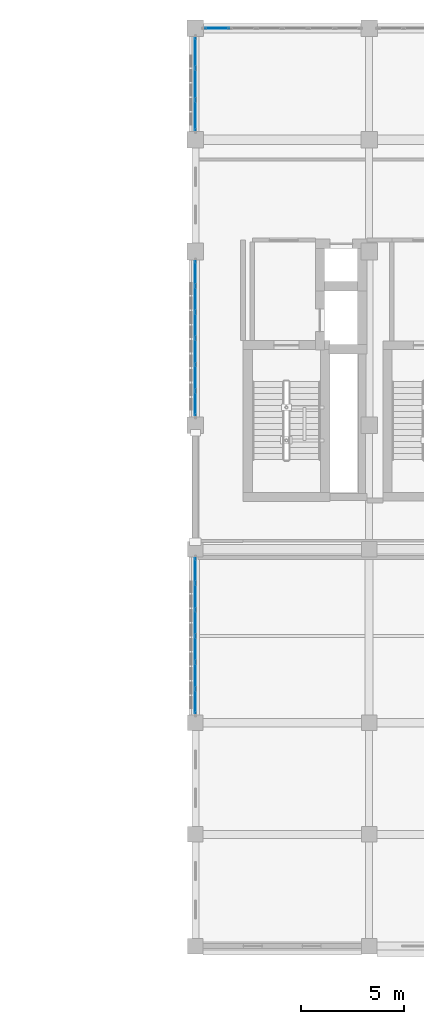
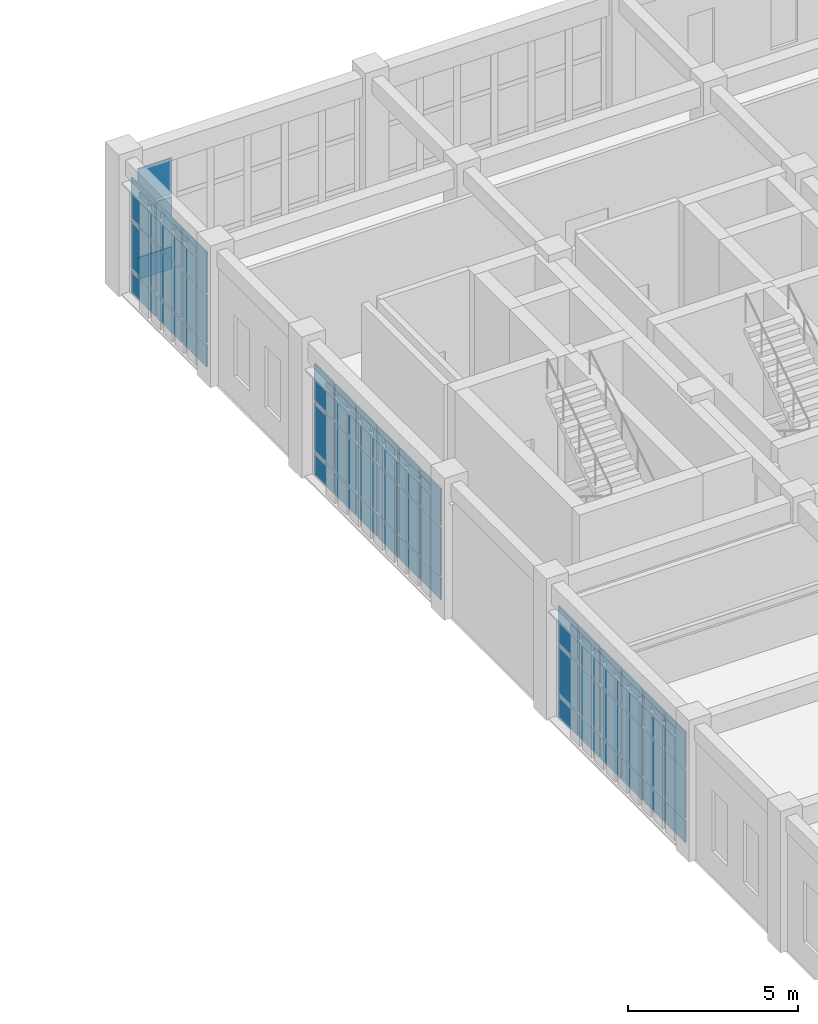
# One storey, part 50 of 77: 48 plates, 4 elements without a shape of their own.
"""IFC4 building model written with IfcOpenShell, lengths in metres."""

from ifc_helpers import new_model, si_unit, direction, frame, origin, origin_2d, place, context, subcontext, project, spatial, rectangle, extrude, material, layer, layer_set, type_object, element, aggregate, save


model = new_model("IFC4")

# Units and contexts
model_context = context("Model", 3, precision=1e-05, world=origin(), true_north=direction((0.0, 1.0)))
body_context = subcontext(model_context, "Body", "Model", "MODEL_VIEW")
ifc_project = project(units=[si_unit("LENGTHUNIT", "METRE"), si_unit("AREAUNIT", "SQUARE_METRE"), si_unit("VOLUMEUNIT", "CUBIC_METRE"), si_unit("PLANEANGLEUNIT", "RADIAN"), si_unit("MASSUNIT", "GRAM", prefix="KILO")], contexts=[model_context])

# Site, building, storey
site_placement = place(None, origin())
site = spatial("IfcSite", under=ifc_project, at=site_placement, CompositionType="ELEMENT")
building_placement = place(site_placement, origin())
building = spatial("IfcBuilding", under=site, at=building_placement, Name="Krzemoval Escarpment Law Courts", CompositionType="ELEMENT")
storey_placement = place(building_placement, frame((0.0, 0.0, 15.300048828125)))
storey = spatial("IfcBuildingStorey", under=building, at=storey_placement, Name="L03", CompositionType="ELEMENT", Elevation=15.300048828125)

# Curtain wall, plates
ifc_material_1 = material(Name="Aluminium 6063-T6", Category="aluminium")
ifc_layer_1 = layer(ifc_material_1, 0.239990234375)
ifc_layer_set_1 = layer_set([ifc_layer_1], Name="Aluminium 6063-T6")
curtain_wall_type = type_object("IfcCurtainWallType", Name="CW-CHMB-4800", PredefinedType="USERDEFINED", material=ifc_layer_set_1)
curtain_wall_1_placement = place(storey_placement, origin())
curtain_wall_1 = element("IfcCurtainWall", 1, at=curtain_wall_1_placement, inside=storey, type_object=curtain_wall_type, Name="Unitised Curtain Wall FCW-L03-112", ObjectType="UNITISED_CURTAIN_WALL", PredefinedType="USERDEFINED")
ifc_material_2 = material(Name="Triple Glazing IGU", Category="glass")
ifc_layer_2 = layer(ifc_material_2, 0.048095703125)
ifc_layer_set_2 = layer_set([ifc_layer_2], Name="Triple Glazing IGU")
plate_type = type_object("IfcPlateType", Name="CWP-GLZ-48", PredefinedType="CURTAIN_PANEL", material=ifc_layer_set_2)
plate_1_placement = place(storey_placement, frame((126.0, 100.652099609375, 0.074951171875), z_axis=(0.0, 0.0, 1.0), x_axis=(0.0, 1.0, 0.0)))
plate_1 = element("IfcPlate", 2, at=plate_1_placement, type_object=plate_type, Name="FCW-L03-112 panel 1.1", PredefinedType="CURTAIN_PANEL", context=body_context, shape_type="SweptSolid", body=[
    extrude(rectangle(XDim=1.154052734375, YDim=0.048095703125, at=origin_2d()), origin(), (0.0, 0.0, 1.0), 0.78759765625),
])
plate_2_placement = place(storey_placement, frame((126.0, 100.652099609375, 0.9375), z_axis=(0.0, 0.0, 1.0), x_axis=(0.0, 1.0, 0.0)))
plate_2 = element("IfcPlate", 3, at=plate_2_placement, type_object=plate_type, Name="FCW-L03-112 panel 1.2", PredefinedType="CURTAIN_PANEL", context=body_context, shape_type="SweptSolid", body=[
    extrude(rectangle(XDim=1.154052734375, YDim=0.048095703125, at=origin_2d()), origin(), (0.0, 0.0, 1.0), 1.72509765625),
])
plate_3_placement = place(storey_placement, frame((126.0, 100.652099609375, 2.7373046875), z_axis=(0.0, 0.0, 1.0), x_axis=(0.0, 1.0, 0.0)))
plate_3 = element("IfcPlate", 4, at=plate_3_placement, type_object=plate_type, Name="FCW-L03-112 panel 1.3", PredefinedType="CURTAIN_PANEL", context=body_context, shape_type="SweptSolid", body=[
    extrude(rectangle(XDim=1.154052734375, YDim=0.048095703125, at=origin_2d()), origin(), (0.0, 0.0, 1.0), 1.327392578125),
])
plate_4_placement = place(storey_placement, frame((126.0, 101.89990234375, 0.074951171875), z_axis=(0.0, 0.0, 1.0), x_axis=(0.0, 1.0, 0.0)))
plate_4 = element("IfcPlate", 5, at=plate_4_placement, type_object=plate_type, Name="FCW-L03-112 panel 2.1", PredefinedType="CURTAIN_PANEL", context=body_context, shape_type="SweptSolid", body=[
    extrude(rectangle(XDim=1.191650390625, YDim=0.048095703125, at=origin_2d()), origin(), (0.0, 0.0, 1.0), 0.78759765625),
])
plate_5_placement = place(storey_placement, frame((126.0, 101.89990234375, 0.9375), z_axis=(0.0, 0.0, 1.0), x_axis=(0.0, 1.0, 0.0)))
plate_5 = element("IfcPlate", 6, at=plate_5_placement, type_object=plate_type, Name="FCW-L03-112 panel 2.2", PredefinedType="CURTAIN_PANEL", context=body_context, shape_type="SweptSolid", body=[
    extrude(rectangle(XDim=1.191650390625, YDim=0.048095703125, at=origin_2d()), origin(), (0.0, 0.0, 1.0), 1.72509765625),
])
plate_6_placement = place(storey_placement, frame((126.0, 101.89990234375, 2.7373046875), z_axis=(0.0, 0.0, 1.0), x_axis=(0.0, 1.0, 0.0)))
plate_6 = element("IfcPlate", 7, at=plate_6_placement, type_object=plate_type, Name="FCW-L03-112 panel 2.3", PredefinedType="CURTAIN_PANEL", context=body_context, shape_type="SweptSolid", body=[
    extrude(rectangle(XDim=1.191650390625, YDim=0.048095703125, at=origin_2d()), origin(), (0.0, 0.0, 1.0), 1.327392578125),
])
plate_7_placement = place(storey_placement, frame((126.0, 103.166748046875, 0.074951171875), z_axis=(0.0, 0.0, 1.0), x_axis=(0.0, 1.0, 0.0)))
plate_7 = element("IfcPlate", 8, at=plate_7_placement, type_object=plate_type, Name="FCW-L03-112 panel 3.1", PredefinedType="CURTAIN_PANEL", context=body_context, shape_type="SweptSolid", body=[
    extrude(rectangle(XDim=1.191650390625, YDim=0.048095703125, at=origin_2d()), origin(), (0.0, 0.0, 1.0), 0.78759765625),
])
plate_8_placement = place(storey_placement, frame((126.0, 103.166748046875, 0.9375), z_axis=(0.0, 0.0, 1.0), x_axis=(0.0, 1.0, 0.0)))
plate_8 = element("IfcPlate", 9, at=plate_8_placement, type_object=plate_type, Name="FCW-L03-112 panel 3.2", PredefinedType="CURTAIN_PANEL", context=body_context, shape_type="SweptSolid", body=[
    extrude(rectangle(XDim=1.191650390625, YDim=0.048095703125, at=origin_2d()), origin(), (0.0, 0.0, 1.0), 1.72509765625),
])
plate_9_placement = place(storey_placement, frame((126.0, 103.166748046875, 2.7373046875), z_axis=(0.0, 0.0, 1.0), x_axis=(0.0, 1.0, 0.0)))
plate_9 = element("IfcPlate", 10, at=plate_9_placement, type_object=plate_type, Name="FCW-L03-112 panel 3.3", PredefinedType="CURTAIN_PANEL", context=body_context, shape_type="SweptSolid", body=[
    extrude(rectangle(XDim=1.191650390625, YDim=0.048095703125, at=origin_2d()), origin(), (0.0, 0.0, 1.0), 1.327392578125),
])
plate_10_placement = place(storey_placement, frame((126.0, 104.433349609375, 0.074951171875), z_axis=(0.0, 0.0, 1.0), x_axis=(0.0, 1.0, 0.0)))
plate_10 = element("IfcPlate", 11, at=plate_10_placement, type_object=plate_type, Name="FCW-L03-112 panel 4.1", PredefinedType="CURTAIN_PANEL", context=body_context, shape_type="SweptSolid", body=[
    extrude(rectangle(XDim=1.191650390625, YDim=0.048095703125, at=origin_2d()), origin(), (0.0, 0.0, 1.0), 0.78759765625),
])
plate_11_placement = place(storey_placement, frame((126.0, 104.433349609375, 0.9375), z_axis=(0.0, 0.0, 1.0), x_axis=(0.0, 1.0, 0.0)))
plate_11 = element("IfcPlate", 12, at=plate_11_placement, type_object=plate_type, Name="FCW-L03-112 panel 4.2", PredefinedType="CURTAIN_PANEL", context=body_context, shape_type="SweptSolid", body=[
    extrude(rectangle(XDim=1.191650390625, YDim=0.048095703125, at=origin_2d()), origin(), (0.0, 0.0, 1.0), 1.72509765625),
])
plate_12_placement = place(storey_placement, frame((126.0, 104.433349609375, 2.7373046875), z_axis=(0.0, 0.0, 1.0), x_axis=(0.0, 1.0, 0.0)))
plate_12 = element("IfcPlate", 13, at=plate_12_placement, type_object=plate_type, Name="FCW-L03-112 panel 4.3", PredefinedType="CURTAIN_PANEL", context=body_context, shape_type="SweptSolid", body=[
    extrude(rectangle(XDim=1.191650390625, YDim=0.048095703125, at=origin_2d()), origin(), (0.0, 0.0, 1.0), 1.327392578125),
])
plate_13_placement = place(storey_placement, frame((126.0, 105.699951171875, 0.074951171875), z_axis=(0.0, 0.0, 1.0), x_axis=(0.0, 1.0, 0.0)))
plate_13 = element("IfcPlate", 14, at=plate_13_placement, type_object=plate_type, Name="FCW-L03-112 panel 5.1", PredefinedType="CURTAIN_PANEL", context=body_context, shape_type="SweptSolid", body=[
    extrude(rectangle(XDim=1.191650390625, YDim=0.048095703125, at=origin_2d()), origin(), (0.0, 0.0, 1.0), 0.78759765625),
])
plate_14_placement = place(storey_placement, frame((126.0, 105.699951171875, 0.9375), z_axis=(0.0, 0.0, 1.0), x_axis=(0.0, 1.0, 0.0)))
plate_14 = element("IfcPlate", 15, at=plate_14_placement, type_object=plate_type, Name="FCW-L03-112 panel 5.2", PredefinedType="CURTAIN_PANEL", context=body_context, shape_type="SweptSolid", body=[
    extrude(rectangle(XDim=1.191650390625, YDim=0.048095703125, at=origin_2d()), origin(), (0.0, 0.0, 1.0), 1.72509765625),
])
plate_15_placement = place(storey_placement, frame((126.0, 105.699951171875, 2.7373046875), z_axis=(0.0, 0.0, 1.0), x_axis=(0.0, 1.0, 0.0)))
plate_15 = element("IfcPlate", 16, at=plate_15_placement, type_object=plate_type, Name="FCW-L03-112 panel 5.3", PredefinedType="CURTAIN_PANEL", context=body_context, shape_type="SweptSolid", body=[
    extrude(rectangle(XDim=1.191650390625, YDim=0.048095703125, at=origin_2d()), origin(), (0.0, 0.0, 1.0), 1.327392578125),
])
plate_16_placement = place(storey_placement, frame((126.0, 106.947998046875, 0.074951171875), z_axis=(0.0, 0.0, 1.0), x_axis=(0.0, 1.0, 0.0)))
plate_16 = element("IfcPlate", 17, at=plate_16_placement, type_object=plate_type, Name="FCW-L03-112 panel 6.1", PredefinedType="CURTAIN_PANEL", context=body_context, shape_type="SweptSolid", body=[
    extrude(rectangle(XDim=1.154052734375, YDim=0.048095703125, at=origin_2d()), origin(), (0.0, 0.0, 1.0), 0.78759765625),
])
plate_17_placement = place(storey_placement, frame((126.0, 106.947998046875, 0.9375), z_axis=(0.0, 0.0, 1.0), x_axis=(0.0, 1.0, 0.0)))
plate_17 = element("IfcPlate", 18, at=plate_17_placement, type_object=plate_type, Name="FCW-L03-112 panel 6.2", PredefinedType="CURTAIN_PANEL", context=body_context, shape_type="SweptSolid", body=[
    extrude(rectangle(XDim=1.154052734375, YDim=0.048095703125, at=origin_2d()), origin(), (0.0, 0.0, 1.0), 1.72509765625),
])
plate_18_placement = place(storey_placement, frame((126.0, 106.947998046875, 2.7373046875), z_axis=(0.0, 0.0, 1.0), x_axis=(0.0, 1.0, 0.0)))
plate_18 = element("IfcPlate", 19, at=plate_18_placement, type_object=plate_type, Name="FCW-L03-112 panel 6.3", PredefinedType="CURTAIN_PANEL", context=body_context, shape_type="SweptSolid", body=[
    extrude(rectangle(XDim=1.154052734375, YDim=0.048095703125, at=origin_2d()), origin(), (0.0, 0.0, 1.0), 1.327392578125),
])
aggregate(curtain_wall_1, [plate_1, plate_2, plate_3, plate_4, plate_5, plate_6, plate_7, plate_8, plate_9, plate_10, plate_11, plate_12, plate_13, plate_14, plate_15, plate_16, plate_17, plate_18])

curtain_wall_2_placement = place(storey_placement, origin())
curtain_wall_2 = element("IfcCurtainWall", 20, at=curtain_wall_2_placement, inside=storey, type_object=curtain_wall_type, Name="Unitised Curtain Wall FCW-L03-113", ObjectType="UNITISED_CURTAIN_WALL", PredefinedType="USERDEFINED")
plate_19_placement = place(storey_placement, frame((126.0, 114.58544921875, 0.074951171875), z_axis=(0.0, 0.0, 1.0), x_axis=(0.0, 1.0, 0.0)))
plate_19 = element("IfcPlate", 21, at=plate_19_placement, type_object=plate_type, Name="FCW-L03-113 panel 1.1", PredefinedType="CURTAIN_PANEL", context=body_context, shape_type="SweptSolid", body=[
    extrude(rectangle(XDim=1.4208984375, YDim=0.048095703125, at=origin_2d()), origin(), (0.0, 0.0, 1.0), 0.78759765625),
])
plate_20_placement = place(storey_placement, frame((126.0, 114.58544921875, 0.9375), z_axis=(0.0, 0.0, 1.0), x_axis=(0.0, 1.0, 0.0)))
plate_20 = element("IfcPlate", 22, at=plate_20_placement, type_object=plate_type, Name="FCW-L03-113 panel 1.2", PredefinedType="CURTAIN_PANEL", context=body_context, shape_type="SweptSolid", body=[
    extrude(rectangle(XDim=1.4208984375, YDim=0.048095703125, at=origin_2d()), origin(), (0.0, 0.0, 1.0), 1.72509765625),
])
plate_21_placement = place(storey_placement, frame((126.0, 114.58544921875, 2.737548828125), z_axis=(0.0, 0.0, 1.0), x_axis=(0.0, 1.0, 0.0)))
plate_21 = element("IfcPlate", 23, at=plate_21_placement, type_object=plate_type, Name="FCW-L03-113 panel 1.3", PredefinedType="CURTAIN_PANEL", context=body_context, shape_type="SweptSolid", body=[
    extrude(rectangle(XDim=1.4208984375, YDim=0.048095703125, at=origin_2d()), origin(), (0.0, 0.0, 1.0), 1.4775390625),
])
plate_22_placement = place(storey_placement, frame((126.0, 116.10009765625, 0.074951171875), z_axis=(0.0, 0.0, 1.0), x_axis=(0.0, 1.0, 0.0)))
plate_22 = element("IfcPlate", 24, at=plate_22_placement, type_object=plate_type, Name="FCW-L03-113 panel 2.1", PredefinedType="CURTAIN_PANEL", context=body_context, shape_type="SweptSolid", body=[
    extrude(rectangle(XDim=1.458251953125, YDim=0.048095703125, at=origin_2d()), origin(), (0.0, 0.0, 1.0), 0.78759765625),
])
plate_23_placement = place(storey_placement, frame((126.0, 116.10009765625, 0.9375), z_axis=(0.0, 0.0, 1.0), x_axis=(0.0, 1.0, 0.0)))
plate_23 = element("IfcPlate", 25, at=plate_23_placement, type_object=plate_type, Name="FCW-L03-113 panel 2.2", PredefinedType="CURTAIN_PANEL", context=body_context, shape_type="SweptSolid", body=[
    extrude(rectangle(XDim=1.458251953125, YDim=0.048095703125, at=origin_2d()), origin(), (0.0, 0.0, 1.0), 1.72509765625),
])
plate_24_placement = place(storey_placement, frame((126.0, 116.10009765625, 2.737548828125), z_axis=(0.0, 0.0, 1.0), x_axis=(0.0, 1.0, 0.0)))
plate_24 = element("IfcPlate", 26, at=plate_24_placement, type_object=plate_type, Name="FCW-L03-113 panel 2.3", PredefinedType="CURTAIN_PANEL", context=body_context, shape_type="SweptSolid", body=[
    extrude(rectangle(XDim=1.458251953125, YDim=0.048095703125, at=origin_2d()), origin(), (0.0, 0.0, 1.0), 1.4775390625),
])
plate_25_placement = place(storey_placement, frame((126.0, 117.614501953125, 0.074951171875), z_axis=(0.0, 0.0, 1.0), x_axis=(0.0, 1.0, 0.0)))
plate_25 = element("IfcPlate", 27, at=plate_25_placement, type_object=plate_type, Name="FCW-L03-113 panel 3.1", PredefinedType="CURTAIN_PANEL", context=body_context, shape_type="SweptSolid", body=[
    extrude(rectangle(XDim=1.4208984375, YDim=0.048095703125, at=origin_2d()), origin(), (0.0, 0.0, 1.0), 0.78759765625),
])
plate_26_placement = place(storey_placement, frame((126.0, 117.614501953125, 0.9375), z_axis=(0.0, 0.0, 1.0), x_axis=(0.0, 1.0, 0.0)))
plate_26 = element("IfcPlate", 28, at=plate_26_placement, type_object=plate_type, Name="FCW-L03-113 panel 3.2", PredefinedType="CURTAIN_PANEL", context=body_context, shape_type="SweptSolid", body=[
    extrude(rectangle(XDim=1.4208984375, YDim=0.048095703125, at=origin_2d()), origin(), (0.0, 0.0, 1.0), 1.72509765625),
])
plate_27_placement = place(storey_placement, frame((126.0, 117.614501953125, 2.737548828125), z_axis=(0.0, 0.0, 1.0), x_axis=(0.0, 1.0, 0.0)))
plate_27 = element("IfcPlate", 29, at=plate_27_placement, type_object=plate_type, Name="FCW-L03-113 panel 3.3", PredefinedType="CURTAIN_PANEL", context=body_context, shape_type="SweptSolid", body=[
    extrude(rectangle(XDim=1.4208984375, YDim=0.048095703125, at=origin_2d()), origin(), (0.0, 0.0, 1.0), 1.4775390625),
])
aggregate(curtain_wall_2, [plate_19, plate_20, plate_21, plate_22, plate_23, plate_24, plate_25, plate_26, plate_27])

curtain_wall_3_placement = place(storey_placement, origin())
curtain_wall_3 = element("IfcCurtainWall", 30, at=curtain_wall_3_placement, inside=storey, type_object=curtain_wall_type, Name="Unitised Curtain Wall FCW-L03-114", ObjectType="UNITISED_CURTAIN_WALL", PredefinedType="USERDEFINED")
plate_28_placement = place(storey_placement, frame((127.052001953125, 118.800048828125, 0.074951171875), z_axis=(0.0, 0.0, 1.0), x_axis=(1.0, 0.0, 0.0)))
plate_28 = element("IfcPlate", 31, at=plate_28_placement, type_object=plate_type, Name="FCW-L03-114 panel 1.1", PredefinedType="CURTAIN_PANEL", context=body_context, shape_type="SweptSolid", body=[
    extrude(rectangle(XDim=1.154052734375, YDim=0.048095703125, at=origin_2d()), origin(), (0.0, 0.0, 1.0), 0.78759765625),
])
plate_29_placement = place(storey_placement, frame((127.052001953125, 118.800048828125, 0.9375), z_axis=(0.0, 0.0, 1.0), x_axis=(1.0, 0.0, 0.0)))
plate_29 = element("IfcPlate", 32, at=plate_29_placement, type_object=plate_type, Name="FCW-L03-114 panel 1.2", PredefinedType="CURTAIN_PANEL", context=body_context, shape_type="SweptSolid", body=[
    extrude(rectangle(XDim=1.154052734375, YDim=0.048095703125, at=origin_2d()), origin(), (0.0, 0.0, 1.0), 1.72509765625),
])
plate_30_placement = place(storey_placement, frame((127.052001953125, 118.800048828125, 2.7373046875), z_axis=(0.0, 0.0, 1.0), x_axis=(1.0, 0.0, 0.0)))
plate_30 = element("IfcPlate", 33, at=plate_30_placement, type_object=plate_type, Name="FCW-L03-114 panel 1.3", PredefinedType="CURTAIN_PANEL", context=body_context, shape_type="SweptSolid", body=[
    extrude(rectangle(XDim=1.154052734375, YDim=0.048095703125, at=origin_2d()), origin(), (0.0, 0.0, 1.0), 1.327392578125),
])
aggregate(curtain_wall_3, [plate_28, plate_29, plate_30])

curtain_wall_4_placement = place(storey_placement, origin())
curtain_wall_4 = element("IfcCurtainWall", 34, at=curtain_wall_4_placement, inside=storey, type_object=curtain_wall_type, Name="Unitised Curtain Wall FCW-L03-122", ObjectType="UNITISED_CURTAIN_WALL", PredefinedType="USERDEFINED")
plate_31_placement = place(storey_placement, frame((126.0, 86.231201171875, 0.074951171875), z_axis=(0.0, 0.0, 1.0), x_axis=(0.0, 1.0, 0.0)))
plate_31 = element("IfcPlate", 35, at=plate_31_placement, type_object=plate_type, Name="FCW-L03-122 panel 1.1", PredefinedType="CURTAIN_PANEL", context=body_context, shape_type="SweptSolid", body=[
    extrude(rectangle(XDim=1.16259765625, YDim=0.048095703125, at=origin_2d()), origin(), (0.0, 0.0, 1.0), 0.78759765625),
])
plate_32_placement = place(storey_placement, frame((126.0, 86.231201171875, 0.9375), z_axis=(0.0, 0.0, 1.0), x_axis=(0.0, 1.0, 0.0)))
plate_32 = element("IfcPlate", 36, at=plate_32_placement, type_object=plate_type, Name="FCW-L03-122 panel 1.2", PredefinedType="CURTAIN_PANEL", context=body_context, shape_type="SweptSolid", body=[
    extrude(rectangle(XDim=1.16259765625, YDim=0.048095703125, at=origin_2d()), origin(), (0.0, 0.0, 1.0), 1.72509765625),
])
plate_33_placement = place(storey_placement, frame((126.0, 86.231201171875, 2.7373046875), z_axis=(0.0, 0.0, 1.0), x_axis=(0.0, 1.0, 0.0)))
plate_33 = element("IfcPlate", 37, at=plate_33_placement, type_object=plate_type, Name="FCW-L03-122 panel 1.3", PredefinedType="CURTAIN_PANEL", context=body_context, shape_type="SweptSolid", body=[
    extrude(rectangle(XDim=1.16259765625, YDim=0.048095703125, at=origin_2d()), origin(), (0.0, 0.0, 1.0), 1.327392578125),
])
plate_34_placement = place(storey_placement, frame((126.0, 87.487548828125, 0.074951171875), z_axis=(0.0, 0.0, 1.0), x_axis=(0.0, 1.0, 0.0)))
plate_34 = element("IfcPlate", 38, at=plate_34_placement, type_object=plate_type, Name="FCW-L03-122 panel 2.1", PredefinedType="CURTAIN_PANEL", context=body_context, shape_type="SweptSolid", body=[
    extrude(rectangle(XDim=1.199951171875, YDim=0.048095703125, at=origin_2d()), origin(), (0.0, 0.0, 1.0), 0.78759765625),
])
plate_35_placement = place(storey_placement, frame((126.0, 87.487548828125, 0.9375), z_axis=(0.0, 0.0, 1.0), x_axis=(0.0, 1.0, 0.0)))
plate_35 = element("IfcPlate", 39, at=plate_35_placement, type_object=plate_type, Name="FCW-L03-122 panel 2.2", PredefinedType="CURTAIN_PANEL", context=body_context, shape_type="SweptSolid", body=[
    extrude(rectangle(XDim=1.199951171875, YDim=0.048095703125, at=origin_2d()), origin(), (0.0, 0.0, 1.0), 1.72509765625),
])
plate_36_placement = place(storey_placement, frame((126.0, 87.487548828125, 2.7373046875), z_axis=(0.0, 0.0, 1.0), x_axis=(0.0, 1.0, 0.0)))
plate_36 = element("IfcPlate", 40, at=plate_36_placement, type_object=plate_type, Name="FCW-L03-122 panel 2.3", PredefinedType="CURTAIN_PANEL", context=body_context, shape_type="SweptSolid", body=[
    extrude(rectangle(XDim=1.199951171875, YDim=0.048095703125, at=origin_2d()), origin(), (0.0, 0.0, 1.0), 1.327392578125),
])
plate_37_placement = place(storey_placement, frame((126.0, 88.762451171875, 0.074951171875), z_axis=(0.0, 0.0, 1.0), x_axis=(0.0, 1.0, 0.0)))
plate_37 = element("IfcPlate", 41, at=plate_37_placement, type_object=plate_type, Name="FCW-L03-122 panel 3.1", PredefinedType="CURTAIN_PANEL", context=body_context, shape_type="SweptSolid", body=[
    extrude(rectangle(XDim=1.199951171875, YDim=0.048095703125, at=origin_2d()), origin(), (0.0, 0.0, 1.0), 0.78759765625),
])
plate_38_placement = place(storey_placement, frame((126.0, 88.762451171875, 0.9375), z_axis=(0.0, 0.0, 1.0), x_axis=(0.0, 1.0, 0.0)))
plate_38 = element("IfcPlate", 42, at=plate_38_placement, type_object=plate_type, Name="FCW-L03-122 panel 3.2", PredefinedType="CURTAIN_PANEL", context=body_context, shape_type="SweptSolid", body=[
    extrude(rectangle(XDim=1.199951171875, YDim=0.048095703125, at=origin_2d()), origin(), (0.0, 0.0, 1.0), 1.72509765625),
])
plate_39_placement = place(storey_placement, frame((126.0, 88.762451171875, 2.7373046875), z_axis=(0.0, 0.0, 1.0), x_axis=(0.0, 1.0, 0.0)))
plate_39 = element("IfcPlate", 43, at=plate_39_placement, type_object=plate_type, Name="FCW-L03-122 panel 3.3", PredefinedType="CURTAIN_PANEL", context=body_context, shape_type="SweptSolid", body=[
    extrude(rectangle(XDim=1.199951171875, YDim=0.048095703125, at=origin_2d()), origin(), (0.0, 0.0, 1.0), 1.327392578125),
])
plate_40_placement = place(storey_placement, frame((126.0, 90.03759765625, 0.074951171875), z_axis=(0.0, 0.0, 1.0), x_axis=(0.0, 1.0, 0.0)))
plate_40 = element("IfcPlate", 44, at=plate_40_placement, type_object=plate_type, Name="FCW-L03-122 panel 4.1", PredefinedType="CURTAIN_PANEL", context=body_context, shape_type="SweptSolid", body=[
    extrude(rectangle(XDim=1.199951171875, YDim=0.048095703125, at=origin_2d()), origin(), (0.0, 0.0, 1.0), 0.78759765625),
])
plate_41_placement = place(storey_placement, frame((126.0, 90.03759765625, 0.9375), z_axis=(0.0, 0.0, 1.0), x_axis=(0.0, 1.0, 0.0)))
plate_41 = element("IfcPlate", 45, at=plate_41_placement, type_object=plate_type, Name="FCW-L03-122 panel 4.2", PredefinedType="CURTAIN_PANEL", context=body_context, shape_type="SweptSolid", body=[
    extrude(rectangle(XDim=1.199951171875, YDim=0.048095703125, at=origin_2d()), origin(), (0.0, 0.0, 1.0), 1.72509765625),
])
plate_42_placement = place(storey_placement, frame((126.0, 90.03759765625, 2.7373046875), z_axis=(0.0, 0.0, 1.0), x_axis=(0.0, 1.0, 0.0)))
plate_42 = element("IfcPlate", 46, at=plate_42_placement, type_object=plate_type, Name="FCW-L03-122 panel 4.3", PredefinedType="CURTAIN_PANEL", context=body_context, shape_type="SweptSolid", body=[
    extrude(rectangle(XDim=1.199951171875, YDim=0.048095703125, at=origin_2d()), origin(), (0.0, 0.0, 1.0), 1.327392578125),
])
plate_43_placement = place(storey_placement, frame((126.0, 91.3125, 0.074951171875), z_axis=(0.0, 0.0, 1.0), x_axis=(0.0, 1.0, 0.0)))
plate_43 = element("IfcPlate", 47, at=plate_43_placement, type_object=plate_type, Name="FCW-L03-122 panel 5.1", PredefinedType="CURTAIN_PANEL", context=body_context, shape_type="SweptSolid", body=[
    extrude(rectangle(XDim=1.199951171875, YDim=0.048095703125, at=origin_2d()), origin(), (0.0, 0.0, 1.0), 0.78759765625),
])
plate_44_placement = place(storey_placement, frame((126.0, 91.3125, 0.9375), z_axis=(0.0, 0.0, 1.0), x_axis=(0.0, 1.0, 0.0)))
plate_44 = element("IfcPlate", 48, at=plate_44_placement, type_object=plate_type, Name="FCW-L03-122 panel 5.2", PredefinedType="CURTAIN_PANEL", context=body_context, shape_type="SweptSolid", body=[
    extrude(rectangle(XDim=1.199951171875, YDim=0.048095703125, at=origin_2d()), origin(), (0.0, 0.0, 1.0), 1.72509765625),
])
plate_45_placement = place(storey_placement, frame((126.0, 91.3125, 2.7373046875), z_axis=(0.0, 0.0, 1.0), x_axis=(0.0, 1.0, 0.0)))
plate_45 = element("IfcPlate", 49, at=plate_45_placement, type_object=plate_type, Name="FCW-L03-122 panel 5.3", PredefinedType="CURTAIN_PANEL", context=body_context, shape_type="SweptSolid", body=[
    extrude(rectangle(XDim=1.199951171875, YDim=0.048095703125, at=origin_2d()), origin(), (0.0, 0.0, 1.0), 1.327392578125),
])
plate_46_placement = place(storey_placement, frame((126.0, 92.56884765625, 0.074951171875), z_axis=(0.0, 0.0, 1.0), x_axis=(0.0, 1.0, 0.0)))
plate_46 = element("IfcPlate", 50, at=plate_46_placement, type_object=plate_type, Name="FCW-L03-122 panel 6.1", PredefinedType="CURTAIN_PANEL", context=body_context, shape_type="SweptSolid", body=[
    extrude(rectangle(XDim=1.16259765625, YDim=0.048095703125, at=origin_2d()), origin(), (0.0, 0.0, 1.0), 0.78759765625),
])
plate_47_placement = place(storey_placement, frame((126.0, 92.56884765625, 0.9375), z_axis=(0.0, 0.0, 1.0), x_axis=(0.0, 1.0, 0.0)))
plate_47 = element("IfcPlate", 51, at=plate_47_placement, type_object=plate_type, Name="FCW-L03-122 panel 6.2", PredefinedType="CURTAIN_PANEL", context=body_context, shape_type="SweptSolid", body=[
    extrude(rectangle(XDim=1.16259765625, YDim=0.048095703125, at=origin_2d()), origin(), (0.0, 0.0, 1.0), 1.72509765625),
])
plate_48_placement = place(storey_placement, frame((126.0, 92.56884765625, 2.7373046875), z_axis=(0.0, 0.0, 1.0), x_axis=(0.0, 1.0, 0.0)))
plate_48 = element("IfcPlate", 52, at=plate_48_placement, type_object=plate_type, Name="FCW-L03-122 panel 6.3", PredefinedType="CURTAIN_PANEL", context=body_context, shape_type="SweptSolid", body=[
    extrude(rectangle(XDim=1.16259765625, YDim=0.048095703125, at=origin_2d()), origin(), (0.0, 0.0, 1.0), 1.327392578125),
])
aggregate(curtain_wall_4, [plate_31, plate_32, plate_33, plate_34, plate_35, plate_36, plate_37, plate_38, plate_39, plate_40, plate_41, plate_42, plate_43, plate_44, plate_45, plate_46, plate_47, plate_48])

save(model, "model.ifc")
